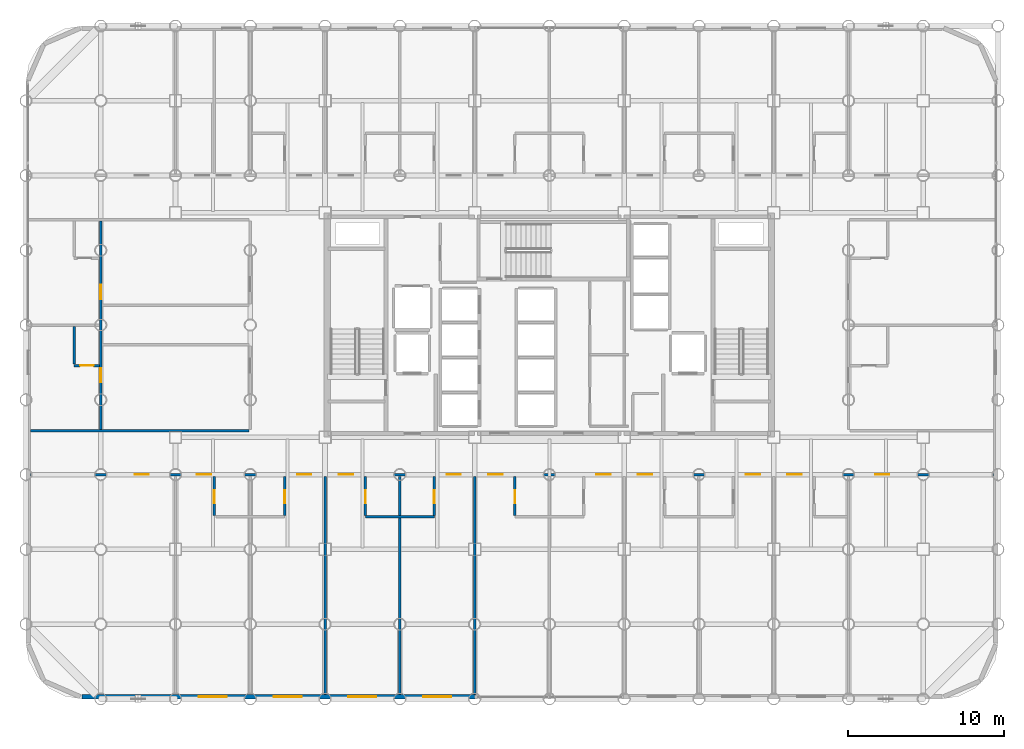
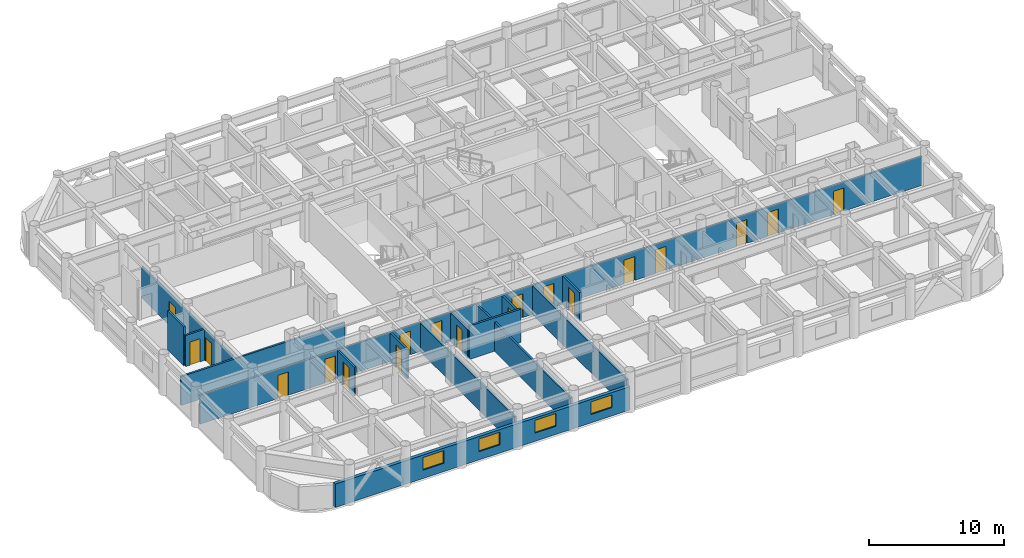
# One storey, part 16 of 22: 19 doors, 15 walls, 4 windows, 23 openings.
"""IFC4 building model written with IfcOpenShell, lengths in metres."""

from ifc_helpers import new_model, si_unit, direction, frame, frame_2d, origin, place, context, subcontext, project, spatial, rectangle, extrude, material, layer, layer_set, type_object, element, fill, save


model = new_model("IFC4")

# Units and contexts
model_context = context("Model", 3, precision=1e-05, world=origin(), true_north=direction((0.0, 1.0)))
body_context = subcontext(model_context, "Body", "Model", "MODEL_VIEW")
ifc_project = project(units=[si_unit("LENGTHUNIT", "METRE"), si_unit("AREAUNIT", "SQUARE_METRE"), si_unit("VOLUMEUNIT", "CUBIC_METRE"), si_unit("PLANEANGLEUNIT", "RADIAN"), si_unit("MASSUNIT", "GRAM", prefix="KILO")], contexts=[model_context])

# Site, building, storey
site_placement = place(None, origin())
site = spatial("IfcSite", under=ifc_project, at=site_placement, CompositionType="ELEMENT")
building_placement = place(site_placement, origin())
building = spatial("IfcBuilding", under=site, at=building_placement, Name="Kallvorn Hotel Tower", CompositionType="ELEMENT")
storey_placement = place(building_placement, frame((0.0, 0.0, 37.39990234375)))
storey = spatial("IfcBuildingStorey", under=building, at=storey_placement, Name="L07", CompositionType="ELEMENT", Elevation=37.39990234375)

# Wall
ifc_material_1 = material(Name="Fire-rated double-layer acoustic gypsum drywall EI 60")
ifc_layer_1 = layer(ifc_material_1, 0.159912109375)
ifc_layer_set_1 = layer_set([ifc_layer_1], Name="WL_DEMISE_160")
wall_type_1 = type_object("IfcWallType", Name="WL_DEMISE_160", PredefinedType="PARTITIONING", material=ifc_layer_set_1)
wall_1_placement = place(storey_placement, frame((-11.81005859375, -12.320068359375, 0.0), z_axis=(0.0, 0.0, 1.0), x_axis=(1.0, 0.0, 0.0)))
element("IfcWall", 1, at=wall_1_placement, inside=storey, type_object=wall_type_1, Name="L07 Suite 707 Superior Twin Room Partition", PredefinedType="PARTITIONING", context=body_context, shape_type="SweptSolid", body=[
    extrude(rectangle(XDim=4.420166015625, YDim=0.159912109375, at=frame_2d((2.2099609375, 0.0))), origin(), (0.0, 0.0, 1.0), 3.02001953125),
])

# Wall, openings, doors
wall_2_placement = place(storey_placement, frame((-33.31005859375, -9.60009765625, 0.0), z_axis=(0.0, 0.0, 1.0), x_axis=(1.0, 0.0, 0.0)))
wall_2 = element("IfcWall", 2, at=wall_2_placement, inside=storey, type_object=wall_type_1, Name="L07 Suite 705 Superior Twin Room Partition", PredefinedType="PARTITIONING", context=body_context, shape_type="SweptSolid", body=[
    extrude(rectangle(XDim=61.820068359375, YDim=0.159912109375, at=frame_2d((30.91015625, 0.0))), origin(), (0.0, 0.0, 1.0), 2.6201171875),
])
opening_1_placement = place(wall_2_placement, frame((6.679443359375, 0.0, 0.0)))
opening_1 = element("IfcOpeningElement", 3, at=opening_1_placement, cuts=wall_2, Name="Opening SVD1", PredefinedType="OPENING", context=body_context, shape_type="SweptSolid", body=[
    extrude(rectangle(XDim=0.89990234375, YDim=2.10009765625, at=frame_2d((0.449951171875, 1.050048828125))), frame((0.0, 0.094970703125, 0.0), z_axis=(0.0, -1.0, 0.0), x_axis=(1.0, 0.0, 0.0)), (0.0, 0.0, 1.0), 0.18994140625),
])
opening_2_placement = place(wall_2_placement, frame((54.240478515625, 0.0, 0.0)))
opening_2 = element("IfcOpeningElement", 4, at=opening_2_placement, cuts=wall_2, Name="Opening SVD1", PredefinedType="OPENING", context=body_context, shape_type="SweptSolid", body=[
    extrude(rectangle(XDim=0.89990234375, YDim=2.10009765625, at=frame_2d((0.449951171875, 1.050048828125))), frame((0.0, 0.094970703125, 0.0), z_axis=(0.0, -1.0, 0.0), x_axis=(1.0, 0.0, 0.0)), (0.0, 0.0, 1.0), 0.18994140625),
])
opening_3_placement = place(wall_2_placement, frame((10.679931640625, 0.0, 0.0)))
opening_3 = element("IfcOpeningElement", 5, at=opening_3_placement, cuts=wall_2, Name="Opening GD1", PredefinedType="OPENING", context=body_context, shape_type="SweptSolid", body=[
    extrude(rectangle(XDim=0.919921875, YDim=2.14990234375, at=frame_2d((0.4599609375, 1.074951171875))), frame((0.0, 0.094970703125, 0.0), z_axis=(0.0, -1.0, 0.0), x_axis=(1.0, 0.0, 0.0)), (0.0, 0.0, 1.0), 0.18994140625),
])
opening_4_placement = place(wall_2_placement, frame((17.114990234375, 0.0, 0.0)))
opening_4 = element("IfcOpeningElement", 6, at=opening_4_placement, cuts=wall_2, Name="Opening GD1", PredefinedType="OPENING", context=body_context, shape_type="SweptSolid", body=[
    extrude(rectangle(XDim=0.919921875, YDim=2.14990234375, at=frame_2d((0.4599609375, 1.074951171875))), frame((0.0, 0.094970703125, 0.0), z_axis=(0.0, -1.0, 0.0), x_axis=(1.0, 0.0, 0.0)), (0.0, 0.0, 1.0), 0.18994140625),
])
opening_5_placement = place(wall_2_placement, frame((19.784912109375, 0.0, 0.0)))
opening_5 = element("IfcOpeningElement", 7, at=opening_5_placement, cuts=wall_2, Name="Opening GD1", PredefinedType="OPENING", context=body_context, shape_type="SweptSolid", body=[
    extrude(rectangle(XDim=0.919921875, YDim=2.14990234375, at=frame_2d((0.4599609375, 1.074951171875))), frame((0.0, 0.094970703125, 0.0), z_axis=(0.0, -1.0, 0.0), x_axis=(1.0, 0.0, 0.0)), (0.0, 0.0, 1.0), 0.18994140625),
])
opening_6_placement = place(wall_2_placement, frame((26.715087890625, 0.0, 0.0)))
opening_6 = element("IfcOpeningElement", 8, at=opening_6_placement, cuts=wall_2, Name="Opening GD1", PredefinedType="OPENING", context=body_context, shape_type="SweptSolid", body=[
    extrude(rectangle(XDim=0.919921875, YDim=2.14990234375, at=frame_2d((0.4599609375, 1.074951171875))), frame((0.0, 0.094970703125, 0.0), z_axis=(0.0, -1.0, 0.0), x_axis=(1.0, 0.0, 0.0)), (0.0, 0.0, 1.0), 0.18994140625),
])
opening_7_placement = place(wall_2_placement, frame((29.385009765625, 0.0, 0.0)))
opening_7 = element("IfcOpeningElement", 9, at=opening_7_placement, cuts=wall_2, Name="Opening GD1", PredefinedType="OPENING", context=body_context, shape_type="SweptSolid", body=[
    extrude(rectangle(XDim=0.919921875, YDim=2.14990234375, at=frame_2d((0.4599609375, 1.074951171875))), frame((0.0, 0.094970703125, 0.0), z_axis=(0.0, -1.0, 0.0), x_axis=(1.0, 0.0, 0.0)), (0.0, 0.0, 1.0), 0.18994140625),
])
opening_8_placement = place(wall_2_placement, frame((36.31494140625, 0.0, 0.0)))
opening_8 = element("IfcOpeningElement", 10, at=opening_8_placement, cuts=wall_2, Name="Opening GD1", PredefinedType="OPENING", context=body_context, shape_type="SweptSolid", body=[
    extrude(rectangle(XDim=0.919921875, YDim=2.14990234375, at=frame_2d((0.4599609375, 1.074951171875))), frame((0.0, 0.094970703125, 0.0), z_axis=(0.0, -1.0, 0.0), x_axis=(1.0, 0.0, 0.0)), (0.0, 0.0, 1.0), 0.18994140625),
])
opening_9_placement = place(wall_2_placement, frame((38.985107421875, 0.0, 0.0)))
opening_9 = element("IfcOpeningElement", 11, at=opening_9_placement, cuts=wall_2, Name="Opening GD1", PredefinedType="OPENING", context=body_context, shape_type="SweptSolid", body=[
    extrude(rectangle(XDim=0.919921875, YDim=2.14990234375, at=frame_2d((0.4599609375, 1.074951171875))), frame((0.0, 0.094970703125, 0.0), z_axis=(0.0, -1.0, 0.0), x_axis=(1.0, 0.0, 0.0)), (0.0, 0.0, 1.0), 0.18994140625),
])
opening_10_placement = place(wall_2_placement, frame((45.9150390625, 0.0, 0.0)))
opening_10 = element("IfcOpeningElement", 12, at=opening_10_placement, cuts=wall_2, Name="Opening GD1", PredefinedType="OPENING", context=body_context, shape_type="SweptSolid", body=[
    extrude(rectangle(XDim=0.919921875, YDim=2.14990234375, at=frame_2d((0.4599609375, 1.074951171875))), frame((0.0, 0.094970703125, 0.0), z_axis=(0.0, -1.0, 0.0), x_axis=(1.0, 0.0, 0.0)), (0.0, 0.0, 1.0), 0.18994140625),
])
opening_11_placement = place(wall_2_placement, frame((48.5849609375, 0.0, 0.0)))
opening_11 = element("IfcOpeningElement", 13, at=opening_11_placement, cuts=wall_2, Name="Opening GD1", PredefinedType="OPENING", context=body_context, shape_type="SweptSolid", body=[
    extrude(rectangle(XDim=0.919921875, YDim=2.14990234375, at=frame_2d((0.4599609375, 1.074951171875))), frame((0.0, 0.094970703125, 0.0), z_axis=(0.0, -1.0, 0.0), x_axis=(1.0, 0.0, 0.0)), (0.0, 0.0, 1.0), 0.18994140625),
])
ifc_material_2 = material(Name="Solid-core walnut veneer fire-rated timber door leaf", Category="wood")
door_type_1 = type_object("IfcDoorType", Name="DR_GUEST_920x2150", OperationType="NOTDEFINED", PredefinedType="DOOR", material=ifc_material_2)
door_1_placement = place(opening_3_placement, origin())
door_1 = element("IfcDoor", 14, at=door_1_placement, inside=storey, type_object=door_type_1, Name="L07 Suite 705 Superior Twin Room Door", OperationType="SINGLE_SWING_LEFT", OverallHeight=2.14990234375, OverallWidth=0.919921875, PredefinedType="DOOR", context=body_context, shape_type="SweptSolid", body=[
    extrude(rectangle(XDim=0.919921875, YDim=2.14990234375, at=frame_2d((0.4599609375, 1.074951171875))), frame((0.0, 0.02490234375, 0.0), z_axis=(0.0, -1.0, 0.0), x_axis=(1.0, 0.0, 0.0)), (0.0, 0.0, 1.0), 0.050048828125),
])
fill(opening_3, door_1)
door_2_placement = place(opening_4_placement, origin())
door_2 = element("IfcDoor", 15, at=door_2_placement, inside=storey, type_object=door_type_1, Name="L07 Suite 706 Superior Twin Room Door", OperationType="SINGLE_SWING_LEFT", OverallHeight=2.14990234375, OverallWidth=0.919921875, PredefinedType="DOOR", context=body_context, shape_type="SweptSolid", body=[
    extrude(rectangle(XDim=0.919921875, YDim=2.14990234375, at=frame_2d((0.4599609375, 1.074951171875))), frame((0.0, 0.02490234375, 0.0), z_axis=(0.0, -1.0, 0.0), x_axis=(1.0, 0.0, 0.0)), (0.0, 0.0, 1.0), 0.050048828125),
])
fill(opening_4, door_2)
door_3_placement = place(opening_5_placement, origin())
door_3 = element("IfcDoor", 16, at=door_3_placement, inside=storey, type_object=door_type_1, Name="L07 Suite 707 Superior Twin Room Door", OperationType="SINGLE_SWING_RIGHT", OverallHeight=2.14990234375, OverallWidth=0.919921875, PredefinedType="DOOR", context=body_context, shape_type="SweptSolid", body=[
    extrude(rectangle(XDim=0.919921875, YDim=2.14990234375, at=frame_2d((0.4599609375, 1.074951171875))), frame((0.0, 0.02490234375, 0.0), z_axis=(0.0, -1.0, 0.0), x_axis=(1.0, 0.0, 0.0)), (0.0, 0.0, 1.0), 0.050048828125),
])
fill(opening_5, door_3)
door_4_placement = place(opening_6_placement, origin())
door_4 = element("IfcDoor", 17, at=door_4_placement, inside=storey, type_object=door_type_1, Name="L07 Suite 708 Superior Twin Room Door", OperationType="SINGLE_SWING_LEFT", OverallHeight=2.14990234375, OverallWidth=0.919921875, PredefinedType="DOOR", context=body_context, shape_type="SweptSolid", body=[
    extrude(rectangle(XDim=0.919921875, YDim=2.14990234375, at=frame_2d((0.4599609375, 1.074951171875))), frame((0.0, 0.02490234375, 0.0), z_axis=(0.0, -1.0, 0.0), x_axis=(1.0, 0.0, 0.0)), (0.0, 0.0, 1.0), 0.050048828125),
])
fill(opening_6, door_4)
door_5_placement = place(opening_7_placement, origin())
door_5 = element("IfcDoor", 18, at=door_5_placement, inside=storey, type_object=door_type_1, Name="L07 Suite 709 Superior Twin Room Door", OperationType="SINGLE_SWING_LEFT", OverallHeight=2.14990234375, OverallWidth=0.919921875, PredefinedType="DOOR", context=body_context, shape_type="SweptSolid", body=[
    extrude(rectangle(XDim=0.919921875, YDim=2.14990234375, at=frame_2d((0.4599609375, 1.074951171875))), frame((0.0, 0.02490234375, 0.0), z_axis=(0.0, -1.0, 0.0), x_axis=(1.0, 0.0, 0.0)), (0.0, 0.0, 1.0), 0.050048828125),
])
fill(opening_7, door_5)
door_6_placement = place(opening_8_placement, origin())
door_6 = element("IfcDoor", 19, at=door_6_placement, inside=storey, type_object=door_type_1, Name="L07 Suite 710 Superior Twin Room Door", OperationType="SINGLE_SWING_LEFT", OverallHeight=2.14990234375, OverallWidth=0.919921875, PredefinedType="DOOR", context=body_context, shape_type="SweptSolid", body=[
    extrude(rectangle(XDim=0.919921875, YDim=2.14990234375, at=frame_2d((0.4599609375, 1.074951171875))), frame((0.0, 0.02490234375, 0.0), z_axis=(0.0, -1.0, 0.0), x_axis=(1.0, 0.0, 0.0)), (0.0, 0.0, 1.0), 0.050048828125),
])
fill(opening_8, door_6)
door_7_placement = place(opening_9_placement, origin())
door_7 = element("IfcDoor", 20, at=door_7_placement, inside=storey, type_object=door_type_1, Name="L07 Suite 711 Superior Twin Room Door", OperationType="SINGLE_SWING_LEFT", OverallHeight=2.14990234375, OverallWidth=0.919921875, PredefinedType="DOOR", context=body_context, shape_type="SweptSolid", body=[
    extrude(rectangle(XDim=0.919921875, YDim=2.14990234375, at=frame_2d((0.4599609375, 1.074951171875))), frame((0.0, 0.02490234375, 0.0), z_axis=(0.0, -1.0, 0.0), x_axis=(1.0, 0.0, 0.0)), (0.0, 0.0, 1.0), 0.050048828125),
])
fill(opening_9, door_7)
door_8_placement = place(opening_10_placement, origin())
door_8 = element("IfcDoor", 21, at=door_8_placement, inside=storey, type_object=door_type_1, Name="L07 Suite 712 Superior Twin Room Door", OperationType="SINGLE_SWING_RIGHT", OverallHeight=2.14990234375, OverallWidth=0.919921875, PredefinedType="DOOR", context=body_context, shape_type="SweptSolid", body=[
    extrude(rectangle(XDim=0.919921875, YDim=2.14990234375, at=frame_2d((0.4599609375, 1.074951171875))), frame((0.0, 0.02490234375, 0.0), z_axis=(0.0, -1.0, 0.0), x_axis=(1.0, 0.0, 0.0)), (0.0, 0.0, 1.0), 0.050048828125),
])
fill(opening_10, door_8)
door_9_placement = place(opening_11_placement, origin())
door_9 = element("IfcDoor", 22, at=door_9_placement, inside=storey, type_object=door_type_1, Name="L07 Suite 713 Superior Twin Room Door", OperationType="SINGLE_SWING_LEFT", OverallHeight=2.14990234375, OverallWidth=0.919921875, PredefinedType="DOOR", context=body_context, shape_type="SweptSolid", body=[
    extrude(rectangle(XDim=0.919921875, YDim=2.14990234375, at=frame_2d((0.4599609375, 1.074951171875))), frame((0.0, 0.02490234375, 0.0), z_axis=(0.0, -1.0, 0.0), x_axis=(1.0, 0.0, 0.0)), (0.0, 0.0, 1.0), 0.050048828125),
])
fill(opening_11, door_9)
ifc_material_3 = material(Name="Galvanised painted steel fire-rated door assembly", Category="steel")
door_type_2 = type_object("IfcDoorType", Name="DR_SERV_900x2100", OperationType="NOTDEFINED", PredefinedType="DOOR", material=ifc_material_3)
door_10_placement = place(opening_1_placement, origin())
door_10 = element("IfcDoor", 23, at=door_10_placement, inside=storey, type_object=door_type_2, Name="L07 L07 South-West Botanical Bar Door", OperationType="SINGLE_SWING_RIGHT", OverallHeight=2.10009765625, OverallWidth=0.89990234375, PredefinedType="DOOR", context=body_context, shape_type="SweptSolid", body=[
    extrude(rectangle(XDim=0.89990234375, YDim=2.10009765625, at=frame_2d((0.449951171875, 1.050048828125))), frame((0.0, 0.02490234375, 0.0), z_axis=(0.0, -1.0, 0.0), x_axis=(1.0, 0.0, 0.0)), (0.0, 0.0, 1.0), 0.050048828125),
])
fill(opening_1, door_10)
door_11_placement = place(opening_2_placement, origin())
door_11 = element("IfcDoor", 24, at=door_11_placement, inside=storey, type_object=door_type_2, Name="L07 L07 South-East Sommelier Bar Door", OperationType="SINGLE_SWING_LEFT", OverallHeight=2.10009765625, OverallWidth=0.89990234375, PredefinedType="DOOR", context=body_context, shape_type="SweptSolid", body=[
    extrude(rectangle(XDim=0.89990234375, YDim=2.10009765625, at=frame_2d((0.449951171875, 1.050048828125))), frame((0.0, 0.02490234375, 0.0), z_axis=(0.0, -1.0, 0.0), x_axis=(1.0, 0.0, 0.0)), (0.0, 0.0, 1.0), 0.050048828125),
])
fill(opening_2, door_11)

# Wall
wall_3_placement = place(storey_placement, frame((-33.31005859375, -6.800048828125, 0.0), z_axis=(0.0, 0.0, 1.0), x_axis=(1.0, 0.0, 0.0)))
element("IfcWall", 25, at=wall_3_placement, inside=storey, type_object=wall_type_1, Name="L07 Suite 701 W Loggia King Room Partition", PredefinedType="PARTITIONING", context=body_context, shape_type="SweptSolid", body=[
    extrude(rectangle(XDim=14.030029296875, YDim=0.159912109375, at=frame_2d((7.01513671875, 0.0))), origin(), (0.0, 0.0, 1.0), 2.6201171875),
])

# Wall, opening, door
wall_4_placement = place(storey_placement, frame((-30.5, -2.60009765625, 0.0), z_axis=(0.0, 0.0, 1.0), x_axis=(1.0, 0.0, 0.0)))
wall_4 = element("IfcWall", 26, at=wall_4_placement, inside=storey, type_object=wall_type_1, Name="L07 Suite 701 W Loggia King Room Partition", PredefinedType="PARTITIONING", context=body_context, shape_type="SweptSolid", body=[
    extrude(rectangle(XDim=1.6201171875, YDim=0.159912109375, at=frame_2d((0.81005859375, 0.0))), origin(), (0.0, 0.0, 1.0), 2.820068359375),
])
opening_12_placement = place(wall_4_placement, frame((0.3798828125, 0.0, 0.0)))
opening_12 = element("IfcOpeningElement", 27, at=opening_12_placement, cuts=wall_4, Name="Opening BD-I", PredefinedType="OPENING", context=body_context, shape_type="SweptSolid", body=[
    extrude(rectangle(XDim=0.860107421875, YDim=2.10009765625, at=frame_2d((0.43017578125, 1.050048828125))), frame((0.0, 0.094970703125, 0.0), z_axis=(0.0, -1.0, 0.0), x_axis=(1.0, 0.0, 0.0)), (0.0, 0.0, 1.0), 0.18994140625),
])
ifc_material_4 = material(Name="Solid-core walnut veneer fire-rated timber door leaf", Category="wood")
door_type_3 = type_object("IfcDoorType", Name="DR_BATH_860x2100", OperationType="NOTDEFINED", PredefinedType="DOOR", material=ifc_material_4)
door_12_placement = place(opening_12_placement, origin())
door_12 = element("IfcDoor", 28, at=door_12_placement, inside=storey, type_object=door_type_3, Name="L07 Suite 701 En-Suite Bathroom Door", OperationType="SINGLE_SWING_LEFT", OverallHeight=2.10009765625, OverallWidth=0.860107421875, PredefinedType="DOOR", context=body_context, shape_type="SweptSolid", body=[
    extrude(rectangle(XDim=0.860107421875, YDim=2.10009765625, at=frame_2d((0.43017578125, 1.050048828125))), frame((0.0, 0.02490234375, 0.0), z_axis=(0.0, -1.0, 0.0), x_axis=(1.0, 0.0, 0.0)), (0.0, 0.0, 1.0), 0.050048828125),
])
fill(opening_12, door_12)

# Wall
wall_5_placement = place(storey_placement, frame((-30.5, -2.514892578125, 0.0), z_axis=(0.0, 0.0, 1.0), x_axis=(0.0, 1.0, 0.0)))
element("IfcWall", 29, at=wall_5_placement, inside=storey, type_object=wall_type_1, Name="L07 Suite 701 W Loggia King Room Partition", PredefinedType="PARTITIONING", context=body_context, shape_type="SweptSolid", body=[
    extrude(rectangle(XDim=2.414794921875, YDim=0.159912109375, at=frame_2d((1.20751953125, 0.0))), origin(), (0.0, 0.0, 1.0), 3.52001953125),
])

# Wall, openings, doors
wall_6_placement = place(storey_placement, frame((-28.800048828125, -6.715087890625, 0.0), z_axis=(0.0, 0.0, 1.0), x_axis=(0.0, 1.0, 0.0)))
wall_6 = element("IfcWall", 30, at=wall_6_placement, inside=storey, type_object=wall_type_1, Name="L07 Suite 701 W Loggia King Room Partition", PredefinedType="PARTITIONING", context=body_context, shape_type="SweptSolid", body=[
    extrude(rectangle(XDim=13.388427734375, YDim=0.159912109375, at=frame_2d((6.6943359375, 0.0))), origin(), (0.0, 0.0, 1.0), 2.820068359375),
])
opening_13_placement = place(wall_6_placement, frame((3.034912109375, 0.0, 0.0)))
opening_13 = element("IfcOpeningElement", 31, at=opening_13_placement, cuts=wall_6, Name="Opening GD1", PredefinedType="OPENING", context=body_context, shape_type="SweptSolid", body=[
    extrude(rectangle(XDim=0.919921875, YDim=2.14990234375, at=frame_2d((0.4599609375, 1.074951171875))), frame((0.0, 0.094970703125, 0.0), z_axis=(0.0, -1.0, 0.0), x_axis=(1.0, 0.0, 0.0)), (0.0, 0.0, 1.0), 0.18994140625),
])
opening_14_placement = place(wall_6_placement, frame((8.385009765625, 0.0, 0.0)))
opening_14 = element("IfcOpeningElement", 32, at=opening_14_placement, cuts=wall_6, Name="Opening GD1", PredefinedType="OPENING", context=body_context, shape_type="SweptSolid", body=[
    extrude(rectangle(XDim=0.919921875, YDim=2.14990234375, at=frame_2d((0.4599609375, 1.074951171875))), frame((0.0, 0.094970703125, 0.0), z_axis=(0.0, -1.0, 0.0), x_axis=(1.0, 0.0, 0.0)), (0.0, 0.0, 1.0), 0.18994140625),
])
door_13_placement = place(opening_13_placement, origin())
door_13 = element("IfcDoor", 33, at=door_13_placement, inside=storey, type_object=door_type_1, Name="L07 Suite 701 W Loggia King Room Door", OperationType="SINGLE_SWING_LEFT", OverallHeight=2.14990234375, OverallWidth=0.919921875, PredefinedType="DOOR", context=body_context, shape_type="SweptSolid", body=[
    extrude(rectangle(XDim=0.919921875, YDim=2.14990234375, at=frame_2d((0.4599609375, 1.074951171875))), frame((0.0, 0.02490234375, 0.0), z_axis=(0.0, -1.0, 0.0), x_axis=(1.0, 0.0, 0.0)), (0.0, 0.0, 1.0), 0.050048828125),
])
fill(opening_13, door_13)
door_14_placement = place(opening_14_placement, origin())
door_14 = element("IfcDoor", 34, at=door_14_placement, inside=storey, type_object=door_type_1, Name="L07 Suite 702 W Andean Twin Room Door", OperationType="SINGLE_SWING_RIGHT", OverallHeight=2.14990234375, OverallWidth=0.919921875, PredefinedType="DOOR", context=body_context, shape_type="SweptSolid", body=[
    extrude(rectangle(XDim=0.919921875, YDim=2.14990234375, at=frame_2d((0.4599609375, 1.074951171875))), frame((0.0, 0.02490234375, 0.0), z_axis=(0.0, -1.0, 0.0), x_axis=(1.0, 0.0, 0.0)), (0.0, 0.0, 1.0), 0.050048828125),
])
fill(opening_14, door_14)

# Wall, opening, door
wall_7_placement = place(storey_placement, frame((-21.5048828125, -12.235107421875, 0.0), z_axis=(0.0, 0.0, 1.0), x_axis=(0.0, 1.0, 0.0)))
wall_7 = element("IfcWall", 35, at=wall_7_placement, inside=storey, type_object=wall_type_1, Name="L07 Suite 705 Superior Twin Room Partition", PredefinedType="PARTITIONING", context=body_context, shape_type="SweptSolid", body=[
    extrude(rectangle(XDim=2.51513671875, YDim=0.159912109375, at=frame_2d((1.257568359375, 0.0))), origin(), (0.0, 0.0, 1.0), 2.6201171875),
])
opening_15_placement = place(wall_7_placement, frame((0.784912109375, 0.0, 0.0)))
opening_15 = element("IfcOpeningElement", 36, at=opening_15_placement, cuts=wall_7, Name="Opening BD-I", PredefinedType="OPENING", context=body_context, shape_type="SweptSolid", body=[
    extrude(rectangle(XDim=0.860107421875, YDim=2.10009765625, at=frame_2d((0.43017578125, 1.050048828125))), frame((0.0, 0.094970703125, 0.0), z_axis=(0.0, -1.0, 0.0), x_axis=(1.0, 0.0, 0.0)), (0.0, 0.0, 1.0), 0.18994140625),
])
door_15_placement = place(opening_15_placement, origin())
door_15 = element("IfcDoor", 37, at=door_15_placement, inside=storey, type_object=door_type_3, Name="L07 Suite 705 En-Suite Bathroom Door", OperationType="SINGLE_SWING_LEFT", OverallHeight=2.10009765625, OverallWidth=0.860107421875, PredefinedType="DOOR", context=body_context, shape_type="SweptSolid", body=[
    extrude(rectangle(XDim=0.860107421875, YDim=2.10009765625, at=frame_2d((0.43017578125, 1.050048828125))), frame((0.0, 0.02490234375, 0.0), z_axis=(0.0, -1.0, 0.0), x_axis=(1.0, 0.0, 0.0)), (0.0, 0.0, 1.0), 0.050048828125),
])
fill(opening_15, door_15)

wall_8_placement = place(storey_placement, frame((-16.989990234375, -12.235107421875, 0.0), z_axis=(0.0, 0.0, 1.0), x_axis=(0.0, 1.0, 0.0)))
wall_8 = element("IfcWall", 38, at=wall_8_placement, inside=storey, type_object=wall_type_1, Name="L07 Suite 706 Superior Twin Room Partition", PredefinedType="PARTITIONING", context=body_context, shape_type="SweptSolid", body=[
    extrude(rectangle(XDim=2.51513671875, YDim=0.159912109375, at=frame_2d((1.257568359375, 0.0))), origin(), (0.0, 0.0, 1.0), 2.6201171875),
])
opening_16_placement = place(wall_8_placement, frame((0.784912109375, 0.0, 0.0)))
opening_16 = element("IfcOpeningElement", 39, at=opening_16_placement, cuts=wall_8, Name="Opening BD-I", PredefinedType="OPENING", context=body_context, shape_type="SweptSolid", body=[
    extrude(rectangle(XDim=0.860107421875, YDim=2.10009765625, at=frame_2d((0.43017578125, 1.050048828125))), frame((0.0, 0.094970703125, 0.0), z_axis=(0.0, -1.0, 0.0), x_axis=(1.0, 0.0, 0.0)), (0.0, 0.0, 1.0), 0.18994140625),
])
door_16_placement = place(opening_16_placement, origin())
door_16 = element("IfcDoor", 40, at=door_16_placement, inside=storey, type_object=door_type_3, Name="L07 Suite 706 En-Suite Bathroom Door", OperationType="SINGLE_SWING_RIGHT", OverallHeight=2.10009765625, OverallWidth=0.860107421875, PredefinedType="DOOR", context=body_context, shape_type="SweptSolid", body=[
    extrude(rectangle(XDim=0.860107421875, YDim=2.10009765625, at=frame_2d((0.43017578125, 1.050048828125))), frame((0.0, 0.02490234375, 0.0), z_axis=(0.0, -1.0, 0.0), x_axis=(1.0, 0.0, 0.0)), (0.0, 0.0, 1.0), 0.050048828125),
])
fill(opening_16, door_16)

# Wall
wall_9_placement = place(storey_placement, frame((-14.39990234375, -23.7099609375, 0.0), z_axis=(0.0, 0.0, 1.0), x_axis=(0.0, 1.0, 0.0)))
element("IfcWall", 41, at=wall_9_placement, inside=storey, type_object=wall_type_1, Name="L07 Suite 706 Superior Twin Room Partition", PredefinedType="PARTITIONING", context=body_context, shape_type="SweptSolid", body=[
    extrude(rectangle(XDim=13.989990234375, YDim=0.159912109375, at=frame_2d((6.9951171875, 0.0))), origin(), (0.0, 0.0, 1.0), 2.6201171875),
])

# Wall, opening, door
wall_10_placement = place(storey_placement, frame((-11.81005859375, -12.235107421875, 0.0), z_axis=(0.0, 0.0, 1.0), x_axis=(0.0, 1.0, 0.0)))
wall_10 = element("IfcWall", 42, at=wall_10_placement, inside=storey, type_object=wall_type_1, Name="L07 Suite 707 Superior Twin Room Partition", PredefinedType="PARTITIONING", context=body_context, shape_type="SweptSolid", body=[
    extrude(rectangle(XDim=2.51513671875, YDim=0.159912109375, at=frame_2d((1.257568359375, 0.0))), origin(), (0.0, 0.0, 1.0), 2.6201171875),
])
opening_17_placement = place(wall_10_placement, frame((0.784912109375, 0.0, 0.0)))
opening_17 = element("IfcOpeningElement", 43, at=opening_17_placement, cuts=wall_10, Name="Opening BD-I", PredefinedType="OPENING", context=body_context, shape_type="SweptSolid", body=[
    extrude(rectangle(XDim=0.860107421875, YDim=2.10009765625, at=frame_2d((0.43017578125, 1.050048828125))), frame((0.0, 0.094970703125, 0.0), z_axis=(0.0, -1.0, 0.0), x_axis=(1.0, 0.0, 0.0)), (0.0, 0.0, 1.0), 0.18994140625),
])
door_17_placement = place(opening_17_placement, origin())
door_17 = element("IfcDoor", 44, at=door_17_placement, inside=storey, type_object=door_type_3, Name="L07 Suite 707 En-Suite Bathroom Door", OperationType="SINGLE_SWING_RIGHT", OverallHeight=2.10009765625, OverallWidth=0.860107421875, PredefinedType="DOOR", context=body_context, shape_type="SweptSolid", body=[
    extrude(rectangle(XDim=0.860107421875, YDim=2.10009765625, at=frame_2d((0.43017578125, 1.050048828125))), frame((0.0, 0.02490234375, 0.0), z_axis=(0.0, -1.0, 0.0), x_axis=(1.0, 0.0, 0.0)), (0.0, 0.0, 1.0), 0.050048828125),
])
fill(opening_17, door_17)

# Wall
wall_11_placement = place(storey_placement, frame((-9.60009765625, -23.7099609375, 0.0), z_axis=(0.0, 0.0, 1.0), x_axis=(0.0, 1.0, 0.0)))
element("IfcWall", 45, at=wall_11_placement, inside=storey, type_object=wall_type_1, Name="L07 Suite 707 Superior Twin Room Partition", PredefinedType="PARTITIONING", context=body_context, shape_type="SweptSolid", body=[
    extrude(rectangle(XDim=13.989990234375, YDim=0.159912109375, at=frame_2d((6.9951171875, 0.0))), origin(), (0.0, 0.0, 1.0), 2.6201171875),
])

# Wall, opening, door
wall_12_placement = place(storey_placement, frame((-7.389892578125, -12.235107421875, 0.0), z_axis=(0.0, 0.0, 1.0), x_axis=(0.0, 1.0, 0.0)))
wall_12 = element("IfcWall", 46, at=wall_12_placement, inside=storey, type_object=wall_type_1, Name="L07 Suite 708 Superior Twin Room Partition", PredefinedType="PARTITIONING", context=body_context, shape_type="SweptSolid", body=[
    extrude(rectangle(XDim=2.51513671875, YDim=0.159912109375, at=frame_2d((1.257568359375, 0.0))), origin(), (0.0, 0.0, 1.0), 2.6201171875),
])
opening_18_placement = place(wall_12_placement, frame((0.784912109375, 0.0, 0.0)))
opening_18 = element("IfcOpeningElement", 47, at=opening_18_placement, cuts=wall_12, Name="Opening BD-I", PredefinedType="OPENING", context=body_context, shape_type="SweptSolid", body=[
    extrude(rectangle(XDim=0.860107421875, YDim=2.10009765625, at=frame_2d((0.43017578125, 1.050048828125))), frame((0.0, 0.094970703125, 0.0), z_axis=(0.0, -1.0, 0.0), x_axis=(1.0, 0.0, 0.0)), (0.0, 0.0, 1.0), 0.18994140625),
])
door_18_placement = place(opening_18_placement, origin())
door_18 = element("IfcDoor", 48, at=door_18_placement, inside=storey, type_object=door_type_3, Name="L07 Suite 708 En-Suite Bathroom Door", OperationType="SINGLE_SWING_RIGHT", OverallHeight=2.10009765625, OverallWidth=0.860107421875, PredefinedType="DOOR", context=body_context, shape_type="SweptSolid", body=[
    extrude(rectangle(XDim=0.860107421875, YDim=2.10009765625, at=frame_2d((0.43017578125, 1.050048828125))), frame((0.0, 0.02490234375, 0.0), z_axis=(0.0, -1.0, 0.0), x_axis=(1.0, 0.0, 0.0)), (0.0, 0.0, 1.0), 0.050048828125),
])
fill(opening_18, door_18)

# Wall
wall_13_placement = place(storey_placement, frame((-4.800048828125, -23.7099609375, 0.0), z_axis=(0.0, 0.0, 1.0), x_axis=(0.0, 1.0, 0.0)))
element("IfcWall", 49, at=wall_13_placement, inside=storey, type_object=wall_type_1, Name="L07 Suite 708 Superior Twin Room Partition", PredefinedType="PARTITIONING", context=body_context, shape_type="SweptSolid", body=[
    extrude(rectangle(XDim=13.989990234375, YDim=0.159912109375, at=frame_2d((6.9951171875, 0.0))), origin(), (0.0, 0.0, 1.0), 2.6201171875),
])

# Wall, opening, door
wall_14_placement = place(storey_placement, frame((-2.2099609375, -12.235107421875, 0.0), z_axis=(0.0, 0.0, 1.0), x_axis=(0.0, 1.0, 0.0)))
wall_14 = element("IfcWall", 50, at=wall_14_placement, inside=storey, type_object=wall_type_1, Name="L07 Suite 709 Superior Twin Room Partition", PredefinedType="PARTITIONING", context=body_context, shape_type="SweptSolid", body=[
    extrude(rectangle(XDim=2.51513671875, YDim=0.159912109375, at=frame_2d((1.257568359375, 0.0))), origin(), (0.0, 0.0, 1.0), 2.6201171875),
])
opening_19_placement = place(wall_14_placement, frame((0.784912109375, 0.0, 0.0)))
opening_19 = element("IfcOpeningElement", 51, at=opening_19_placement, cuts=wall_14, Name="Opening BD-I", PredefinedType="OPENING", context=body_context, shape_type="SweptSolid", body=[
    extrude(rectangle(XDim=0.860107421875, YDim=2.10009765625, at=frame_2d((0.43017578125, 1.050048828125))), frame((0.0, 0.094970703125, 0.0), z_axis=(0.0, -1.0, 0.0), x_axis=(1.0, 0.0, 0.0)), (0.0, 0.0, 1.0), 0.18994140625),
])
door_19_placement = place(opening_19_placement, origin())
door_19 = element("IfcDoor", 52, at=door_19_placement, inside=storey, type_object=door_type_3, Name="L07 Suite 709 En-Suite Bathroom Door", OperationType="SINGLE_SWING_RIGHT", OverallHeight=2.10009765625, OverallWidth=0.860107421875, PredefinedType="DOOR", context=body_context, shape_type="SweptSolid", body=[
    extrude(rectangle(XDim=0.860107421875, YDim=2.10009765625, at=frame_2d((0.43017578125, 1.050048828125))), frame((0.0, 0.02490234375, 0.0), z_axis=(0.0, -1.0, 0.0), x_axis=(1.0, 0.0, 0.0)), (0.0, 0.0, 1.0), 0.050048828125),
])
fill(opening_19, door_19)

# Wall, openings, windows
ifc_material_5 = material(Name="Precast basalt-clad insulated concrete wall C40/50", Category="masonry")
ifc_layer_2 = layer(ifc_material_5, 0.280029296875)
ifc_layer_set_2 = layer_set([ifc_layer_2], Name="WL_EXT_LOGGIA_280")
wall_type_2 = type_object("IfcWallType", Name="WL_EXT_LOGGIA_280", PredefinedType="SOLIDWALL", material=ifc_layer_set_2)
wall_15_placement = place(storey_placement, frame((-30.0, -23.860107421875, 0.0), z_axis=(0.0, 0.0, 1.0), x_axis=(1.0, 0.0, 0.0)))
wall_15 = element("IfcWall", 53, at=wall_15_placement, inside=storey, type_object=wall_type_2, Name="L07 Exterior Envelope Wall EW-L07-SW", PredefinedType="SOLIDWALL", context=body_context, shape_type="SweptSolid", body=[
    extrude(rectangle(XDim=25.25, YDim=0.280029296875, at=frame_2d((12.625, 0.0))), origin(), (0.0, 0.0, 1.0), 2.1201171875),
])
opening_20_placement = place(wall_15_placement, frame((7.5, 0.0, 0.75)))
opening_20 = element("IfcOpeningElement", 54, at=opening_20_placement, cuts=wall_15, Name="Opening W04A", PredefinedType="OPENING", context=body_context, shape_type="SweptSolid", body=[
    extrude(rectangle(XDim=1.800048828125, YDim=1.14990234375, at=frame_2d((0.89990234375, 0.574951171875))), frame((0.0, 0.155029296875, 0.0), z_axis=(0.0, -1.0, 0.0), x_axis=(1.0, 0.0, 0.0)), (0.0, 0.0, 1.0), 0.31005859375),
])
opening_21_placement = place(wall_15_placement, frame((12.300048828125, 0.0, 0.75)))
opening_21 = element("IfcOpeningElement", 55, at=opening_21_placement, cuts=wall_15, Name="Opening W04A", PredefinedType="OPENING", context=body_context, shape_type="SweptSolid", body=[
    extrude(rectangle(XDim=1.800048828125, YDim=1.14990234375, at=frame_2d((0.89990234375, 0.574951171875))), frame((0.0, 0.155029296875, 0.0), z_axis=(0.0, -1.0, 0.0), x_axis=(1.0, 0.0, 0.0)), (0.0, 0.0, 1.0), 0.31005859375),
])
opening_22_placement = place(wall_15_placement, frame((17.10009765625, 0.0, 0.75)))
opening_22 = element("IfcOpeningElement", 56, at=opening_22_placement, cuts=wall_15, Name="Opening W04A", PredefinedType="OPENING", context=body_context, shape_type="SweptSolid", body=[
    extrude(rectangle(XDim=1.800048828125, YDim=1.14990234375, at=frame_2d((0.89990234375, 0.574951171875))), frame((0.0, 0.155029296875, 0.0), z_axis=(0.0, -1.0, 0.0), x_axis=(1.0, 0.0, 0.0)), (0.0, 0.0, 1.0), 0.31005859375),
])
opening_23_placement = place(wall_15_placement, frame((21.89990234375, 0.0, 0.75)))
opening_23 = element("IfcOpeningElement", 57, at=opening_23_placement, cuts=wall_15, Name="Opening W04A", PredefinedType="OPENING", context=body_context, shape_type="SweptSolid", body=[
    extrude(rectangle(XDim=1.800048828125, YDim=1.14990234375, at=frame_2d((0.89990234375, 0.574951171875))), frame((0.0, 0.155029296875, 0.0), z_axis=(0.0, -1.0, 0.0), x_axis=(1.0, 0.0, 0.0)), (0.0, 0.0, 1.0), 0.31005859375),
])
ifc_material_6 = material(Name="Double-glazed low-e solar-control dark glass", Category="glass")
window_type = type_object("IfcWindowType", Name="WN_HTL_1800x1150", PartitioningType="SINGLE_PANEL", PredefinedType="WINDOW", material=ifc_material_6)
window_1_placement = place(opening_20_placement, origin())
window_1 = element("IfcWindow", 58, at=window_1_placement, inside=storey, type_object=window_type, Name="L07 Guestroom Exterior Window 03", OverallHeight=1.14990234375, OverallWidth=1.800048828125, PartitioningType="SINGLE_PANEL", PredefinedType="WINDOW", context=body_context, shape_type="SweptSolid", body=[
    extrude(rectangle(XDim=1.800048828125, YDim=1.14990234375, at=frame_2d((0.89990234375, 0.574951171875))), frame((0.0, 0.030029296875, 0.0), z_axis=(0.0, -1.0, 0.0), x_axis=(1.0, 0.0, 0.0)), (0.0, 0.0, 1.0), 0.06005859375),
])
fill(opening_20, window_1)
window_2_placement = place(opening_21_placement, origin())
window_2 = element("IfcWindow", 59, at=window_2_placement, inside=storey, type_object=window_type, Name="L07 Guestroom Exterior Window 04", OverallHeight=1.14990234375, OverallWidth=1.800048828125, PartitioningType="SINGLE_PANEL", PredefinedType="WINDOW", context=body_context, shape_type="SweptSolid", body=[
    extrude(rectangle(XDim=1.800048828125, YDim=1.14990234375, at=frame_2d((0.89990234375, 0.574951171875))), frame((0.0, 0.030029296875, 0.0), z_axis=(0.0, -1.0, 0.0), x_axis=(1.0, 0.0, 0.0)), (0.0, 0.0, 1.0), 0.06005859375),
])
fill(opening_21, window_2)
window_3_placement = place(opening_22_placement, origin())
window_3 = element("IfcWindow", 60, at=window_3_placement, inside=storey, type_object=window_type, Name="L07 Guestroom Exterior Window 05", OverallHeight=1.14990234375, OverallWidth=1.800048828125, PartitioningType="SINGLE_PANEL", PredefinedType="WINDOW", context=body_context, shape_type="SweptSolid", body=[
    extrude(rectangle(XDim=1.800048828125, YDim=1.14990234375, at=frame_2d((0.89990234375, 0.574951171875))), frame((0.0, 0.030029296875, 0.0), z_axis=(0.0, -1.0, 0.0), x_axis=(1.0, 0.0, 0.0)), (0.0, 0.0, 1.0), 0.06005859375),
])
fill(opening_22, window_3)
window_4_placement = place(opening_23_placement, origin())
window_4 = element("IfcWindow", 61, at=window_4_placement, inside=storey, type_object=window_type, Name="L07 Guestroom Exterior Window 06", OverallHeight=1.14990234375, OverallWidth=1.800048828125, PartitioningType="SINGLE_PANEL", PredefinedType="WINDOW", context=body_context, shape_type="SweptSolid", body=[
    extrude(rectangle(XDim=1.800048828125, YDim=1.14990234375, at=frame_2d((0.89990234375, 0.574951171875))), frame((0.0, 0.030029296875, 0.0), z_axis=(0.0, -1.0, 0.0), x_axis=(1.0, 0.0, 0.0)), (0.0, 0.0, 1.0), 0.06005859375),
])
fill(opening_23, window_4)

save(model, "model.ifc")
